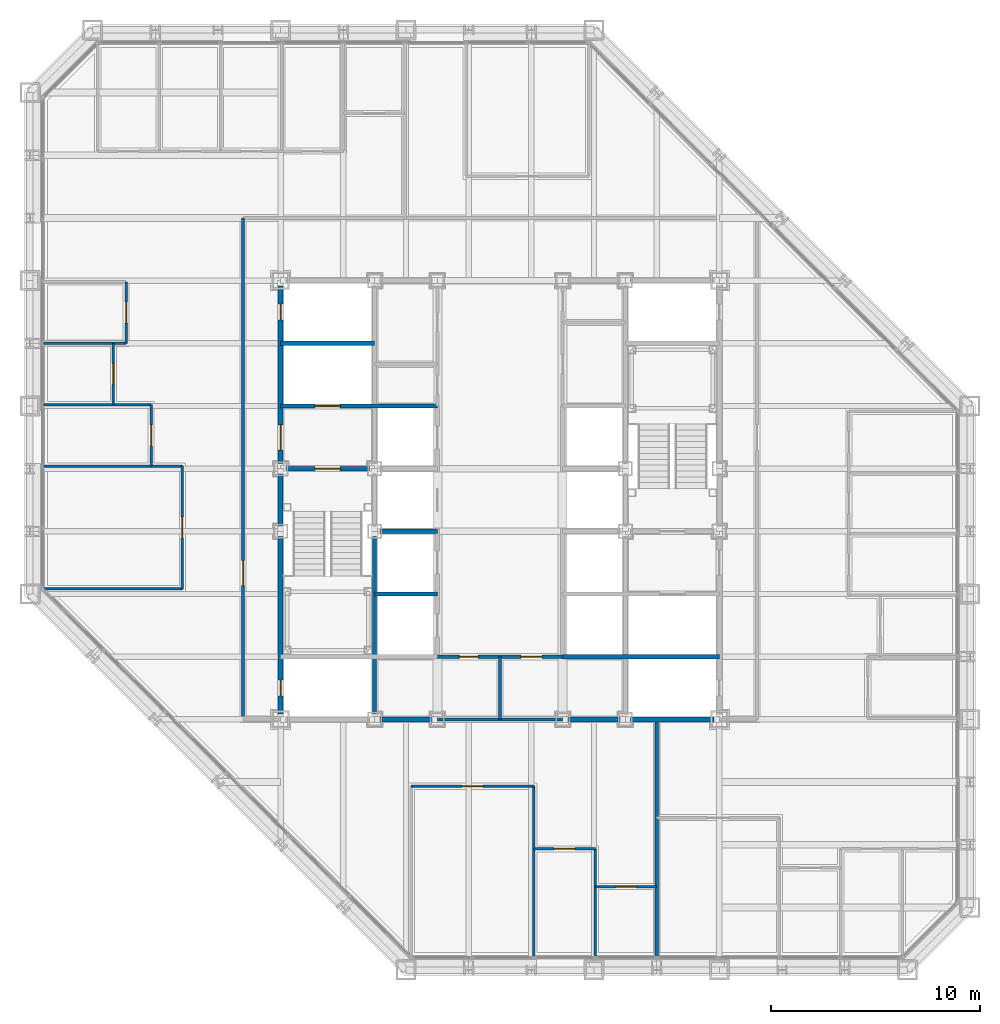
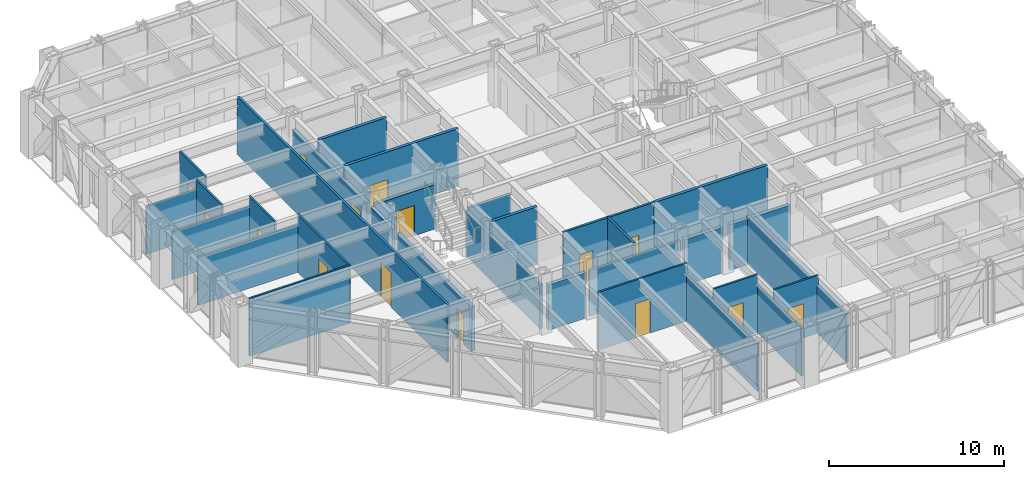
# One storey, part 10 of 16: 31 walls, 15 doors, 15 openings.
"""IFC4 building model written with IfcOpenShell, lengths in metres."""

from ifc_helpers import new_model, si_unit, direction, frame, frame_2d, origin, place, context, subcontext, project, spatial, rectangle, extrude, material, layer, layer_set, type_object, element, fill, save


model = new_model("IFC4")

# Units and contexts
model_context = context("Model", 3, precision=1e-05, world=origin(), true_north=direction((0.0, 1.0)))
body_context = subcontext(model_context, "Body", "Model", "MODEL_VIEW")
ifc_project = project(units=[si_unit("LENGTHUNIT", "METRE"), si_unit("AREAUNIT", "SQUARE_METRE"), si_unit("VOLUMEUNIT", "CUBIC_METRE"), si_unit("PLANEANGLEUNIT", "RADIAN"), si_unit("MASSUNIT", "GRAM", prefix="KILO")], contexts=[model_context])

# Site, building, storey
site_placement = place(None, origin())
site = spatial("IfcSite", under=ifc_project, at=site_placement, CompositionType="ELEMENT")
building_placement = place(site_placement, origin())
building = spatial("IfcBuilding", under=site, at=building_placement, Name="Chuquiago Exchange Tower", CompositionType="ELEMENT")
storey_placement = place(building_placement, frame((0.0, 0.0, 123.60009765625)))
storey = spatial("IfcBuildingStorey", under=building, at=storey_placement, Name="L26", CompositionType="ELEMENT", Elevation=123.60009765625)

# Wall, opening, door
ifc_material_1 = material(Name="Concrete masonry, fully grouted", Category="masonry")
ifc_layer_1 = layer(ifc_material_1, 0.25)
ifc_layer_set_1 = layer_set([ifc_layer_1], Name="W1 core wall 250")
wall_type_1 = type_object("IfcWallType", Name="W1 core wall 250", PredefinedType="SOLIDWALL", material=ifc_layer_set_1)
wall_1_placement = place(storey_placement, frame((12.0, 12.25, 0.0), z_axis=(0.0, 0.0, 1.0), x_axis=(0.0, 1.0, 0.0)))
wall_1 = element("IfcWall", 1, at=wall_1_placement, inside=storey, type_object=wall_type_1, Name="CW-L26-00-0", PredefinedType="SOLIDWALL", context=body_context, shape_type="SweptSolid", body=[
    extrude(rectangle(XDim=8.5, YDim=0.25, at=frame_2d((4.25, 0.0))), origin(), (0.0, 0.0, 1.0), 3.11279296875),
])
opening_1_placement = place(wall_1_placement, frame((0.875, 0.0, 0.0)))
opening_1 = element("IfcOpeningElement", 2, at=opening_1_placement, cuts=wall_1, Name="Opening L26-007", PredefinedType="OPENING", context=body_context, shape_type="SweptSolid", body=[
    extrude(rectangle(XDim=0.75, YDim=2.10009765625, at=frame_2d((0.375, 1.050048828125))), frame((0.0, 0.135009765625, 0.0), z_axis=(0.0, -1.0, 0.0), x_axis=(1.0, 0.0, 0.0)), (0.0, 0.0, 1.0), 0.27001953125),
])
ifc_material_2 = material(Name="Steel door, painted", Category="steel")
door_type_1 = type_object("IfcDoorType", Name="D6 riser access door 750x2100", OperationType="SINGLE_SWING_LEFT", PredefinedType="DOOR", material=ifc_material_2)
door_1_placement = place(opening_1_placement, frame((0.75, 0.0, 0.0), z_axis=(0.0, 0.0, 1.0), x_axis=(-1.0, 0.0, 0.0)))
door_1 = element("IfcDoor", 3, at=door_1_placement, inside=storey, type_object=door_type_1, Name="Riser RW1 door", OperationType="SINGLE_SWING_RIGHT", OverallHeight=2.10009765625, OverallWidth=0.75, PredefinedType="DOOR", context=body_context, shape_type="SweptSolid", body=[
    extrude(rectangle(XDim=0.75, YDim=2.10009765625, at=frame_2d((0.375, 1.050048828125))), frame((0.0, 0.02490234375, 0.0), z_axis=(0.0, -1.0, 0.0), x_axis=(1.0, 0.0, 0.0)), (0.0, 0.0, 1.0), 0.050048828125),
])
fill(opening_1, door_1)

# Wall
wall_2_placement = place(storey_placement, frame((12.0, 21.25, 0.0), z_axis=(0.0, 0.0, 1.0), x_axis=(0.0, 1.0, 0.0)))
element("IfcWall", 4, at=wall_2_placement, inside=storey, type_object=wall_type_1, Name="CW-L26-00-1", PredefinedType="SOLIDWALL", context=body_context, shape_type="SweptSolid", body=[
    extrude(rectangle(XDim=2.5, YDim=0.25, at=frame_2d((1.25, 0.0))), origin(), (0.0, 0.0, 1.0), 3.11279296875),
])

# Wall, openings, doors
wall_3_placement = place(storey_placement, frame((12.0, 24.25, 0.0), z_axis=(0.0, 0.0, 1.0), x_axis=(0.0, 1.0, 0.0)))
wall_3 = element("IfcWall", 5, at=wall_3_placement, inside=storey, type_object=wall_type_1, Name="CW-L26-00-2", PredefinedType="SOLIDWALL", context=body_context, shape_type="SweptSolid", body=[
    extrude(rectangle(XDim=8.5, YDim=0.25, at=frame_2d((4.25, 0.0))), origin(), (0.0, 0.0, 1.0), 3.11279296875),
])
opening_2_placement = place(wall_3_placement, frame((0.64990234375, 0.0, 0.0)))
opening_2 = element("IfcOpeningElement", 6, at=opening_2_placement, cuts=wall_3, Name="Opening L26-002", PredefinedType="OPENING", context=body_context, shape_type="SweptSolid", body=[
    extrude(rectangle(XDim=1.199951171875, YDim=2.10009765625, at=frame_2d((0.60009765625, 1.050048828125))), frame((0.0, 0.135009765625, 0.0), z_axis=(0.0, -1.0, 0.0), x_axis=(1.0, 0.0, 0.0)), (0.0, 0.0, 1.0), 0.27001953125),
])
opening_3_placement = place(wall_3_placement, frame((6.875, 0.0, 0.0)))
opening_3 = element("IfcOpeningElement", 7, at=opening_3_placement, cuts=wall_3, Name="Opening L26-008", PredefinedType="OPENING", context=body_context, shape_type="SweptSolid", body=[
    extrude(rectangle(XDim=0.75, YDim=2.10009765625, at=frame_2d((0.375, 1.050048828125))), frame((0.0, 0.135009765625, 0.0), z_axis=(0.0, -1.0, 0.0), x_axis=(1.0, 0.0, 0.0)), (0.0, 0.0, 1.0), 0.27001953125),
])
ifc_material_3 = material(Name="Steel door, painted", Category="steel")
door_type_2 = type_object("IfcDoorType", Name="D5 firefighting lobby door 1200x2100", OperationType="SINGLE_SWING_LEFT", PredefinedType="DOOR", material=ifc_material_3)
door_2_placement = place(opening_2_placement, frame((1.199951171875, 0.0, 0.0), z_axis=(0.0, 0.0, 1.0), x_axis=(-1.0, 0.0, 0.0)))
door_2 = element("IfcDoor", 8, at=door_2_placement, inside=storey, type_object=door_type_2, Name="Firefighting lobby 1 door", OperationType="SINGLE_SWING_RIGHT", OverallHeight=2.10009765625, OverallWidth=1.199951171875, PredefinedType="DOOR", context=body_context, shape_type="SweptSolid", body=[
    extrude(rectangle(XDim=1.199951171875, YDim=2.10009765625, at=frame_2d((0.60009765625, 1.050048828125))), frame((0.0, 0.02490234375, 0.0), z_axis=(0.0, -1.0, 0.0), x_axis=(1.0, 0.0, 0.0)), (0.0, 0.0, 1.0), 0.050048828125),
])
fill(opening_2, door_2)
door_3_placement = place(opening_3_placement, frame((0.75, 0.0, 0.0), z_axis=(0.0, 0.0, 1.0), x_axis=(-1.0, 0.0, 0.0)))
door_3 = element("IfcDoor", 9, at=door_3_placement, inside=storey, type_object=door_type_1, Name="Riser RW2 door", OperationType="SINGLE_SWING_LEFT", OverallHeight=2.10009765625, OverallWidth=0.75, PredefinedType="DOOR", context=body_context, shape_type="SweptSolid", body=[
    extrude(rectangle(XDim=0.75, YDim=2.10009765625, at=frame_2d((0.375, 1.050048828125))), frame((0.0, 0.02490234375, 0.0), z_axis=(0.0, -1.0, 0.0), x_axis=(1.0, 0.0, 0.0)), (0.0, 0.0, 1.0), 0.050048828125),
])
fill(opening_3, door_3)

# Walls
for number, where, z_axis, x_axis, name in (
    (10, (16.75, 12.0, 0.0), (0.0, 0.0, 1.0), (1.0, 0.0, 0.0), "CW-L26-01-1"),
    (11, (25.75, 12.0, 0.0), (0.0, 0.0, 1.0), (1.0, 0.0, 0.0), "CW-L26-02-0"),
):
    element("IfcWall", number, at=place(storey_placement, frame(where, z_axis=z_axis, x_axis=x_axis)), inside=storey, type_object=wall_type_1, Name=name, PredefinedType="SOLIDWALL", context=body_context, shape_type="SweptSolid", body=[
        extrude(rectangle(XDim=2.5, YDim=0.25, at=frame_2d((1.25, 0.0))), origin(), (0.0, 0.0, 1.0), 3.181396484375),
    ])
wall_4_placement = place(storey_placement, frame((28.75, 12.0, 0.0), z_axis=(0.0, 0.0, 1.0), x_axis=(1.0, 0.0, 0.0)))
element("IfcWall", 12, at=wall_4_placement, inside=storey, type_object=wall_type_1, Name="CW-L26-02-1", PredefinedType="SOLIDWALL", context=body_context, shape_type="SweptSolid", body=[
    extrude(rectangle(XDim=4.0, YDim=0.25, at=frame_2d((2.0, 0.0))), origin(), (0.0, 0.0, 1.0), 3.181396484375),
])

# Wall, opening, door
ifc_material_4 = material(Name="Gypsum board on steel studs, acoustic insulation", Category="steel")
ifc_layer_2 = layer(ifc_material_4, 0.14990234375)
ifc_layer_set_2 = layer_set([ifc_layer_2], Name="W11 corridor wall 150")
wall_type_2 = type_object("IfcWallType", Name="W11 corridor wall 150", PredefinedType="PARTITIONING", material=ifc_layer_set_2)
wall_5_placement = place(storey_placement, frame((10.199951171875, 12.0, 0.0), z_axis=(0.0, 0.0, 1.0), x_axis=(0.0, 1.0, 0.0)))
wall_5 = element("IfcWall", 13, at=wall_5_placement, inside=storey, type_object=wall_type_2, Name="PW-L26-CW", PredefinedType="PARTITIONING", context=body_context, shape_type="SweptSolid", body=[
    extrude(rectangle(XDim=24.0, YDim=0.14990234375, at=frame_2d((12.0, 0.0))), origin(), (0.0, 0.0, 1.0), 4.039794921875),
])
opening_4_placement = place(wall_5_placement, frame((6.39990234375, 0.0, 0.0)))
opening_4 = element("IfcOpeningElement", 14, at=opening_4_placement, cuts=wall_5, Name="Opening L26-043", PredefinedType="OPENING", context=body_context, shape_type="SweptSolid", body=[
    extrude(rectangle(XDim=1.199951171875, YDim=2.39990234375, at=frame_2d((0.60009765625, 1.199951171875))), frame((0.0, 0.0849609375, 0.0), z_axis=(0.0, -1.0, 0.0), x_axis=(1.0, 0.0, 0.0)), (0.0, 0.0, 1.0), 0.169921875),
])
ifc_material_5 = material(Name="Timber door, laminate faced", Category="wood")
door_type_3 = type_object("IfcDoorType", Name="D13 suite entrance door 1200x2400", OperationType="SINGLE_SWING_LEFT", PredefinedType="DOOR", material=ifc_material_5)
door_4_placement = place(opening_4_placement, origin())
door_4 = element("IfcDoor", 15, at=door_4_placement, inside=storey, type_object=door_type_3, Name="West suite entrance door", OperationType="SINGLE_SWING_LEFT", OverallHeight=2.39990234375, OverallWidth=1.199951171875, PredefinedType="DOOR", context=body_context, shape_type="SweptSolid", body=[
    extrude(rectangle(XDim=1.199951171875, YDim=2.39990234375, at=frame_2d((0.60009765625, 1.199951171875))), frame((0.0, 0.02490234375, 0.0), z_axis=(0.0, -1.0, 0.0), x_axis=(1.0, 0.0, 0.0)), (0.0, 0.0, 1.0), 0.050048828125),
])
fill(opening_4, door_4)

# Walls
ifc_material_6 = material(Name="Gypsum board on twin steel studs, acoustic insulation", Category="steel")
ifc_layer_3 = layer(ifc_material_6, 0.175048828125)
ifc_layer_set_3 = layer_set([ifc_layer_3], Name="W12 tenant demising wall 175")
wall_type_3 = type_object("IfcWallType", Name="W12 tenant demising wall 175", PredefinedType="PARTITIONING", material=ifc_layer_set_3)
wall_6_placement = place(storey_placement, frame((30.0, 0.652587890625, 0.0), z_axis=(0.0, 0.0, 1.0), x_axis=(0.0, 1.0, 0.0)))
element("IfcWall", 16, at=wall_6_placement, inside=storey, type_object=wall_type_3, Name="PW-L26-DS03000", PredefinedType="PARTITIONING", context=body_context, shape_type="SweptSolid", body=[
    extrude(rectangle(XDim=11.347412109375, YDim=0.175048828125, at=frame_2d((5.673828125, 0.0))), origin(), (0.0, 0.0, 1.0), 3.356689453125),
])
ifc_material_7 = material(Name="Concrete masonry, fully grouted", Category="masonry")
ifc_layer_4 = layer(ifc_material_7, 0.199951171875)
ifc_layer_set_4 = layer_set([ifc_layer_4], Name="W2 shaft wall 200")
wall_type_4 = type_object("IfcWallType", Name="W2 shaft wall 200", PredefinedType="SOLIDWALL", material=ifc_layer_set_4)
wall_7_placement = place(storey_placement, frame((25.5, 15.0, 0.0), z_axis=(0.0, 0.0, 1.0), x_axis=(1.0, 0.0, 0.0)))
element("IfcWall", 17, at=wall_7_placement, inside=storey, type_object=wall_type_4, Name="CW-L26-04-0", PredefinedType="SOLIDWALL", context=body_context, shape_type="SweptSolid", body=[
    extrude(rectangle(XDim=7.5, YDim=0.199951171875, at=frame_2d((3.75, 0.0))), origin(), (0.0, 0.0, 1.0), 4.039794921875),
])

# Wall, opening, door
wall_8_placement = place(storey_placement, frame((12.25, 24.0, 0.0), z_axis=(0.0, 0.0, 1.0), x_axis=(1.0, 0.0, 0.0)))
wall_8 = element("IfcWall", 18, at=wall_8_placement, inside=storey, type_object=wall_type_4, Name="CW-L26-05-0", PredefinedType="SOLIDWALL", context=body_context, shape_type="SweptSolid", body=[
    extrude(rectangle(XDim=4.0, YDim=0.199951171875, at=frame_2d((2.0, 0.0))), origin(), (0.0, 0.0, 1.0), 3.08984375),
])
opening_5_placement = place(wall_8_placement, frame((1.39990234375, 0.0, 0.0)))
opening_5 = element("IfcOpeningElement", 19, at=opening_5_placement, cuts=wall_8, Name="Opening L26-001", PredefinedType="OPENING", context=body_context, shape_type="SweptSolid", body=[
    extrude(rectangle(XDim=1.199951171875, YDim=2.10009765625, at=frame_2d((0.60009765625, 1.050048828125))), frame((0.0, 0.10986328125, 0.0), z_axis=(0.0, -1.0, 0.0), x_axis=(1.0, 0.0, 0.0)), (0.0, 0.0, 1.0), 0.219970703125),
])
ifc_material_8 = material(Name="Steel door, painted", Category="steel")
door_type_4 = type_object("IfcDoorType", Name="D4 stair door 1200x2100", OperationType="SINGLE_SWING_LEFT", PredefinedType="DOOR", material=ifc_material_8)
door_5_placement = place(opening_5_placement, frame((1.199951171875, 0.0, 0.0), z_axis=(0.0, 0.0, 1.0), x_axis=(-1.0, 0.0, 0.0)))
door_5 = element("IfcDoor", 20, at=door_5_placement, inside=storey, type_object=door_type_4, Name="Stair ST1 door", OperationType="SINGLE_SWING_RIGHT", OverallHeight=2.10009765625, OverallWidth=1.199951171875, PredefinedType="DOOR", context=body_context, shape_type="SweptSolid", body=[
    extrude(rectangle(XDim=1.199951171875, YDim=2.10009765625, at=frame_2d((0.60009765625, 1.050048828125))), frame((0.0, 0.02490234375, 0.0), z_axis=(0.0, -1.0, 0.0), x_axis=(1.0, 0.0, 0.0)), (0.0, 0.0, 1.0), 0.050048828125),
])
fill(opening_5, door_5)

wall_9_placement = place(storey_placement, frame((12.0, 27.0, 0.0), z_axis=(0.0, 0.0, 1.0), x_axis=(1.0, 0.0, 0.0)))
wall_9 = element("IfcWall", 21, at=wall_9_placement, inside=storey, type_object=wall_type_4, Name="CW-L26-07-0", PredefinedType="SOLIDWALL", context=body_context, shape_type="SweptSolid", body=[
    extrude(rectangle(XDim=7.5, YDim=0.199951171875, at=frame_2d((3.75, 0.0))), origin(), (0.0, 0.0, 1.0), 4.039794921875),
])
opening_6_placement = place(wall_9_placement, frame((1.64990234375, 0.0, 0.0)))
opening_6 = element("IfcOpeningElement", 22, at=opening_6_placement, cuts=wall_9, Name="Opening L26-005", PredefinedType="OPENING", context=body_context, shape_type="SweptSolid", body=[
    extrude(rectangle(XDim=1.199951171875, YDim=2.10009765625, at=frame_2d((0.60009765625, 1.050048828125))), frame((0.0, 0.10986328125, 0.0), z_axis=(0.0, -1.0, 0.0), x_axis=(1.0, 0.0, 0.0)), (0.0, 0.0, 1.0), 0.219970703125),
])
ifc_material_9 = material(Name="Stainless steel lift landing door", Category="steel")
door_type_5 = type_object("IfcDoorType", Name="LD2 firefighting lift landing door 1200x2100", OperationType="DOUBLE_DOOR_SLIDING", PredefinedType="DOOR", material=ifc_material_9)
door_6_placement = place(opening_6_placement, origin())
door_6 = element("IfcDoor", 23, at=door_6_placement, inside=storey, type_object=door_type_5, Name="Firefighting lift FL1 landing door", OperationType="DOUBLE_DOOR_SLIDING", OverallHeight=2.10009765625, OverallWidth=1.199951171875, PredefinedType="DOOR", context=body_context, shape_type="SweptSolid", body=[
    extrude(rectangle(XDim=1.199951171875, YDim=2.10009765625, at=frame_2d((0.60009765625, 1.050048828125))), frame((0.0, 0.02490234375, 0.0), z_axis=(0.0, -1.0, 0.0), x_axis=(1.0, 0.0, 0.0)), (0.0, 0.0, 1.0), 0.050048828125),
])
fill(opening_6, door_6)

# Walls
wall_10_placement = place(storey_placement, frame((12.0, 30.0, 0.0), z_axis=(0.0, 0.0, 1.0), x_axis=(1.0, 0.0, 0.0)))
element("IfcWall", 24, at=wall_10_placement, inside=storey, type_object=wall_type_4, Name="CW-L26-09-0", PredefinedType="SOLIDWALL", context=body_context, shape_type="SweptSolid", body=[
    extrude(rectangle(XDim=4.5, YDim=0.199951171875, at=frame_2d((2.25, 0.0))), origin(), (0.0, 0.0, 1.0), 4.039794921875),
])
wall_11_placement = place(storey_placement, frame((16.5, 12.25, 0.0), z_axis=(0.0, 0.0, 1.0), x_axis=(0.0, 1.0, 0.0)))
element("IfcWall", 25, at=wall_11_placement, inside=storey, type_object=wall_type_4, Name="CW-L26-13-0", PredefinedType="SOLIDWALL", context=body_context, shape_type="SweptSolid", body=[
    extrude(rectangle(XDim=8.5, YDim=0.199951171875, at=frame_2d((4.25, 0.0))), origin(), (0.0, 0.0, 1.0), 3.11279296875),
])
wall_12_placement = place(storey_placement, frame((16.5, 18.0, 0.0), z_axis=(0.0, 0.0, 1.0), x_axis=(1.0, 0.0, 0.0)))
element("IfcWall", 26, at=wall_12_placement, inside=storey, type_object=wall_type_4, Name="CW-L26-14-0", PredefinedType="SOLIDWALL", context=body_context, shape_type="SweptSolid", body=[
    extrude(rectangle(XDim=3.0, YDim=0.199951171875, at=frame_2d((1.5, 0.0))), origin(), (0.0, 0.0, 1.0), 4.039794921875),
])
wall_13_placement = place(storey_placement, frame((16.75, 21.0, 0.0), z_axis=(0.0, 0.0, 1.0), x_axis=(1.0, 0.0, 0.0)))
element("IfcWall", 27, at=wall_13_placement, inside=storey, type_object=wall_type_4, Name="CW-L26-16-0", PredefinedType="SOLIDWALL", context=body_context, shape_type="SweptSolid", body=[
    extrude(rectangle(XDim=2.75, YDim=0.199951171875, at=frame_2d((1.375, 0.0))), origin(), (0.0, 0.0, 1.0), 3.08984375),
])

# Wall, openings, doors
ifc_material_10 = material(Name="Gypsum board on steel studs", Category="steel")
ifc_layer_5 = layer(ifc_material_10, 0.14990234375)
ifc_layer_set_5 = layer_set([ifc_layer_5], Name="W3 core partition 150")
wall_type_5 = type_object("IfcWallType", Name="W3 core partition 150", PredefinedType="PARTITIONING", material=ifc_layer_set_5)
wall_14_placement = place(storey_placement, frame((19.5, 15.0, 0.0), z_axis=(0.0, 0.0, 1.0), x_axis=(1.0, 0.0, 0.0)))
wall_14 = element("IfcWall", 28, at=wall_14_placement, inside=storey, type_object=wall_type_5, Name="CW-L26-TF", PredefinedType="PARTITIONING", context=body_context, shape_type="SweptSolid", body=[
    extrude(rectangle(XDim=6.0, YDim=0.14990234375, at=frame_2d((3.0, 0.0))), origin(), (0.0, 0.0, 1.0), 4.039794921875),
])
opening_7_placement = place(wall_14_placement, frame((4.0, 0.0, 0.0)))
opening_7 = element("IfcOpeningElement", 29, at=opening_7_placement, cuts=wall_14, Name="Opening L26-015", PredefinedType="OPENING", context=body_context, shape_type="SweptSolid", body=[
    extrude(rectangle(XDim=1.0, YDim=2.10009765625, at=frame_2d((0.5, 1.050048828125))), frame((0.0, 0.0849609375, 0.0), z_axis=(0.0, -1.0, 0.0), x_axis=(1.0, 0.0, 0.0)), (0.0, 0.0, 1.0), 0.169921875),
])
opening_8_placement = place(wall_14_placement, frame((1.050048828125, 0.0, 0.0)))
opening_8 = element("IfcOpeningElement", 30, at=opening_8_placement, cuts=wall_14, Name="Opening L26-016", PredefinedType="OPENING", context=body_context, shape_type="SweptSolid", body=[
    extrude(rectangle(XDim=0.89990234375, YDim=2.10009765625, at=frame_2d((0.449951171875, 1.050048828125))), frame((0.0, 0.0849609375, 0.0), z_axis=(0.0, -1.0, 0.0), x_axis=(1.0, 0.0, 0.0)), (0.0, 0.0, 1.0), 0.169921875),
])
ifc_material_11 = material(Name="Timber door, laminate faced", Category="wood")
door_type_6 = type_object("IfcDoorType", Name="D7 toilet door 900x2100", OperationType="SINGLE_SWING_LEFT", PredefinedType="DOOR", material=ifc_material_11)
door_7_placement = place(opening_8_placement, origin())
door_7 = element("IfcDoor", 31, at=door_7_placement, inside=storey, type_object=door_type_6, Name="Cleaner door", OperationType="SINGLE_SWING_LEFT", OverallHeight=2.10009765625, OverallWidth=0.89990234375, PredefinedType="DOOR", context=body_context, shape_type="SweptSolid", body=[
    extrude(rectangle(XDim=0.89990234375, YDim=2.10009765625, at=frame_2d((0.449951171875, 1.050048828125))), frame((0.0, 0.02490234375, 0.0), z_axis=(0.0, -1.0, 0.0), x_axis=(1.0, 0.0, 0.0)), (0.0, 0.0, 1.0), 0.050048828125),
])
fill(opening_8, door_7)
ifc_material_12 = material(Name="Timber door, laminate faced", Category="wood")
door_type_7 = type_object("IfcDoorType", Name="D8 accessible toilet door 1000x2100", OperationType="SLIDING_TO_LEFT", PredefinedType="DOOR", material=ifc_material_12)
door_8_placement = place(opening_7_placement, origin())
door_8 = element("IfcDoor", 32, at=door_8_placement, inside=storey, type_object=door_type_7, Name="Accessible WC door", OperationType="SLIDING_TO_LEFT", OverallHeight=2.10009765625, OverallWidth=1.0, PredefinedType="DOOR", context=body_context, shape_type="SweptSolid", body=[
    extrude(rectangle(XDim=1.0, YDim=2.10009765625, at=frame_2d((0.5, 1.050048828125))), frame((0.0, 0.02490234375, 0.0), z_axis=(0.0, -1.0, 0.0), x_axis=(1.0, 0.0, 0.0)), (0.0, 0.0, 1.0), 0.050048828125),
])
fill(opening_7, door_8)

# Walls
wall_15_placement = place(storey_placement, frame((22.5, 15.0, 0.0), z_axis=(0.0, 0.0, 1.0), x_axis=(0.0, -1.0, 0.0)))
element("IfcWall", 33, at=wall_15_placement, inside=storey, type_object=wall_type_5, Name="CW-L26-TM", PredefinedType="PARTITIONING", context=body_context, shape_type="SweptSolid", body=[
    extrude(rectangle(XDim=3.0, YDim=0.14990234375, at=frame_2d((1.5, 0.0))), origin(), (0.0, 0.0, 1.0), 4.039794921875),
])
wall_16_placement = place(storey_placement, frame((19.5, 12.0, 0.0), z_axis=(0.0, 0.0, 1.0), x_axis=(1.0, 0.0, 0.0)))
element("IfcWall", 34, at=wall_16_placement, inside=storey, type_object=wall_type_5, Name="CW-L26-TB", PredefinedType="PARTITIONING", context=body_context, shape_type="SweptSolid", body=[
    extrude(rectangle(XDim=6.0, YDim=0.14990234375, at=frame_2d((3.0, 0.0))), origin(), (0.0, 0.0, 1.0), 3.181396484375),
])
ifc_material_13 = material(Name="Gypsum board on steel studs", Category="steel")
ifc_layer_6 = layer(ifc_material_13, 0.1201171875)
ifc_layer_set_6 = layer_set([ifc_layer_6], Name="W4 partition 120")
wall_type_6 = type_object("IfcWallType", Name="W4 partition 120", PredefinedType="PARTITIONING", material=ifc_layer_set_6)
wall_17_placement = place(storey_placement, frame((24.124267578125, 0.652587890625, 0.0), z_axis=(0.0, 0.0, 1.0), x_axis=(0.0, 1.0, 0.0)))
element("IfcWall", 35, at=wall_17_placement, inside=storey, type_object=wall_type_6, Name="PW-L26-S02412", PredefinedType="PARTITIONING", context=body_context, shape_type="SweptSolid", body=[
    extrude(rectangle(XDim=8.1474609375, YDim=0.1201171875, at=frame_2d((4.07373046875, 0.0))), origin(), (0.0, 0.0, 1.0), 3.356689453125),
])
wall_18_placement = place(storey_placement, frame((27.06201171875, 0.652587890625, 0.0), z_axis=(0.0, 0.0, 1.0), x_axis=(0.0, 1.0, 0.0)))
element("IfcWall", 36, at=wall_18_placement, inside=storey, type_object=wall_type_6, Name="PW-L26-S02706", PredefinedType="PARTITIONING", context=body_context, shape_type="SweptSolid", body=[
    extrude(rectangle(XDim=5.1474609375, YDim=0.1201171875, at=frame_2d((2.57373046875, 0.0))), origin(), (0.0, 0.0, 1.0), 3.356689453125),
])

# Wall, opening, door
wall_19_placement = place(storey_placement, frame((18.24853515625, 8.800048828125, 0.0), z_axis=(0.0, 0.0, 1.0), x_axis=(1.0, 0.0, 0.0)))
wall_19 = element("IfcWall", 37, at=wall_19_placement, inside=storey, type_object=wall_type_6, Name="PW-L26-SF01825", PredefinedType="PARTITIONING", context=body_context, shape_type="SweptSolid", body=[
    extrude(rectangle(XDim=5.875732421875, YDim=0.1201171875, at=frame_2d((2.93798828125, 0.0))), origin(), (0.0, 0.0, 1.0), 4.039794921875),
])
opening_9_placement = place(wall_19_placement, frame((2.43798828125, 0.0, 0.0)))
opening_9 = element("IfcOpeningElement", 38, at=opening_9_placement, cuts=wall_19, Name="Opening L26-021", PredefinedType="OPENING", context=body_context, shape_type="SweptSolid", body=[
    extrude(rectangle(XDim=1.0, YDim=2.39990234375, at=frame_2d((0.5, 1.199951171875))), frame((0.0, 0.070068359375, 0.0), z_axis=(0.0, -1.0, 0.0), x_axis=(1.0, 0.0, 0.0)), (0.0, 0.0, 1.0), 0.14013671875),
])
ifc_material_14 = material(Name="Timber door, laminate faced", Category="wood")
door_type_8 = type_object("IfcDoorType", Name="D9 room door 1000x2400", OperationType="SINGLE_SWING_LEFT", PredefinedType="DOOR", material=ifc_material_14)
door_9_placement = place(opening_9_placement, frame((1.0, 0.0, 0.0), z_axis=(0.0, 0.0, 1.0), x_axis=(-1.0, 0.0, 0.0)))
door_9 = element("IfcDoor", 39, at=door_9_placement, inside=storey, type_object=door_type_8, Name="Settlement office door", OperationType="SINGLE_SWING_RIGHT", OverallHeight=2.39990234375, OverallWidth=1.0, PredefinedType="DOOR", context=body_context, shape_type="SweptSolid", body=[
    extrude(rectangle(XDim=1.0, YDim=2.39990234375, at=frame_2d((0.5, 1.199951171875))), frame((0.0, 0.02490234375, 0.0), z_axis=(0.0, -1.0, 0.0), x_axis=(1.0, 0.0, 0.0)), (0.0, 0.0, 1.0), 0.050048828125),
])
fill(opening_9, door_9)

wall_20_placement = place(storey_placement, frame((24.124267578125, 5.800048828125, 0.0), z_axis=(0.0, 0.0, 1.0), x_axis=(1.0, 0.0, 0.0)))
wall_20 = element("IfcWall", 40, at=wall_20_placement, inside=storey, type_object=wall_type_6, Name="PW-L26-SF02412", PredefinedType="PARTITIONING", context=body_context, shape_type="SweptSolid", body=[
    extrude(rectangle(XDim=2.937744140625, YDim=0.1201171875, at=frame_2d((1.46875, 0.0))), origin(), (0.0, 0.0, 1.0), 4.039794921875),
])
opening_10_placement = place(wall_20_placement, frame((0.968994140625, 0.0, 0.0)))
opening_10 = element("IfcOpeningElement", 41, at=opening_10_placement, cuts=wall_20, Name="Opening L26-022", PredefinedType="OPENING", context=body_context, shape_type="SweptSolid", body=[
    extrude(rectangle(XDim=1.0, YDim=2.39990234375, at=frame_2d((0.5, 1.199951171875))), frame((0.0, 0.070068359375, 0.0), z_axis=(0.0, -1.0, 0.0), x_axis=(1.0, 0.0, 0.0)), (0.0, 0.0, 1.0), 0.14013671875),
])
door_10_placement = place(opening_10_placement, frame((1.0, 0.0, 0.0), z_axis=(0.0, 0.0, 1.0), x_axis=(-1.0, 0.0, 0.0)))
door_10 = element("IfcDoor", 42, at=door_10_placement, inside=storey, type_object=door_type_8, Name="Office door", OperationType="SINGLE_SWING_LEFT", OverallHeight=2.39990234375, OverallWidth=1.0, PredefinedType="DOOR", context=body_context, shape_type="SweptSolid", body=[
    extrude(rectangle(XDim=1.0, YDim=2.39990234375, at=frame_2d((0.5, 1.199951171875))), frame((0.0, 0.02490234375, 0.0), z_axis=(0.0, -1.0, 0.0), x_axis=(1.0, 0.0, 0.0)), (0.0, 0.0, 1.0), 0.050048828125),
])
fill(opening_10, door_10)

wall_21_placement = place(storey_placement, frame((27.06201171875, 4.0, 0.0), z_axis=(0.0, 0.0, 1.0), x_axis=(1.0, 0.0, 0.0)))
wall_21 = element("IfcWall", 43, at=wall_21_placement, inside=storey, type_object=wall_type_6, Name="PW-L26-SF02706", PredefinedType="PARTITIONING", context=body_context, shape_type="SweptSolid", body=[
    extrude(rectangle(XDim=2.93798828125, YDim=0.1201171875, at=frame_2d((1.468994140625, 0.0))), origin(), (0.0, 0.0, 1.0), 4.039794921875),
])
opening_11_placement = place(wall_21_placement, frame((0.968994140625, 0.0, 0.0)))
opening_11 = element("IfcOpeningElement", 44, at=opening_11_placement, cuts=wall_21, Name="Opening L26-023", PredefinedType="OPENING", context=body_context, shape_type="SweptSolid", body=[
    extrude(rectangle(XDim=1.0, YDim=2.39990234375, at=frame_2d((0.5, 1.199951171875))), frame((0.0, 0.070068359375, 0.0), z_axis=(0.0, -1.0, 0.0), x_axis=(1.0, 0.0, 0.0)), (0.0, 0.0, 1.0), 0.14013671875),
])
ifc_material_15 = material(Name="Timber frame door, full height glazed panel", Category="wood")
door_type_9 = type_object("IfcDoorType", Name="D14 glazed meeting room door 1000x2400", OperationType="SINGLE_SWING_LEFT", PredefinedType="DOOR", material=ifc_material_15)
door_11_placement = place(opening_11_placement, frame((1.0, 0.0, 0.0), z_axis=(0.0, 0.0, 1.0), x_axis=(-1.0, 0.0, 0.0)))
door_11 = element("IfcDoor", 45, at=door_11_placement, inside=storey, type_object=door_type_9, Name="Focus room door", OperationType="SINGLE_SWING_LEFT", OverallHeight=2.39990234375, OverallWidth=1.0, PredefinedType="DOOR", context=body_context, shape_type="SweptSolid", body=[
    extrude(rectangle(XDim=1.0, YDim=2.39990234375, at=frame_2d((0.5, 1.199951171875))), frame((0.0, 0.02490234375, 0.0), z_axis=(0.0, -1.0, 0.0), x_axis=(1.0, 0.0, 0.0)), (0.0, 0.0, 1.0), 0.050048828125),
])
fill(opening_11, door_11)

# Walls
wall_22_placement = place(storey_placement, frame((0.666015625, 18.24853515625, 0.0), z_axis=(0.0, 0.0, 1.0), x_axis=(1.0, 0.0, 0.0)))
element("IfcWall", 46, at=wall_22_placement, inside=storey, type_object=wall_type_6, Name="PW-L26-W01825", PredefinedType="PARTITIONING", context=body_context, shape_type="SweptSolid", body=[
    extrude(rectangle(XDim=6.634033203125, YDim=0.1201171875, at=frame_2d((3.31689453125, 0.0))), origin(), (0.0, 0.0, 1.0), 4.039794921875),
])
wall_23_placement = place(storey_placement, frame((0.652587890625, 24.124267578125, 0.0), z_axis=(0.0, 0.0, 1.0), x_axis=(1.0, 0.0, 0.0)))
element("IfcWall", 47, at=wall_23_placement, inside=storey, type_object=wall_type_6, Name="PW-L26-W02412", PredefinedType="PARTITIONING", context=body_context, shape_type="SweptSolid", body=[
    extrude(rectangle(XDim=6.6474609375, YDim=0.1201171875, at=frame_2d((3.32373046875, 0.0))), origin(), (0.0, 0.0, 1.0), 3.356689453125),
])
wall_24_placement = place(storey_placement, frame((0.652587890625, 27.06201171875, 0.0), z_axis=(0.0, 0.0, 1.0), x_axis=(1.0, 0.0, 0.0)))
element("IfcWall", 48, at=wall_24_placement, inside=storey, type_object=wall_type_6, Name="PW-L26-W02706", PredefinedType="PARTITIONING", context=body_context, shape_type="SweptSolid", body=[
    extrude(rectangle(XDim=5.1474609375, YDim=0.1201171875, at=frame_2d((2.57373046875, 0.0))), origin(), (0.0, 0.0, 1.0), 3.356689453125),
])
wall_25_placement = place(storey_placement, frame((0.652587890625, 30.0, 0.0), z_axis=(0.0, 0.0, 1.0), x_axis=(1.0, 0.0, 0.0)))
element("IfcWall", 49, at=wall_25_placement, inside=storey, type_object=wall_type_6, Name="PW-L26-W03000", PredefinedType="PARTITIONING", context=body_context, shape_type="SweptSolid", body=[
    extrude(rectangle(XDim=3.947509765625, YDim=0.1201171875, at=frame_2d((1.9736328125, 0.0))), origin(), (0.0, 0.0, 1.0), 3.356689453125),
])

# Wall, opening, door
wall_26_placement = place(storey_placement, frame((7.300048828125, 18.24853515625, 0.0), z_axis=(0.0, 0.0, 1.0), x_axis=(0.0, 1.0, 0.0)))
wall_26 = element("IfcWall", 50, at=wall_26_placement, inside=storey, type_object=wall_type_6, Name="PW-L26-WF01825", PredefinedType="PARTITIONING", context=body_context, shape_type="SweptSolid", body=[
    extrude(rectangle(XDim=5.875732421875, YDim=0.1201171875, at=frame_2d((2.93798828125, 0.0))), origin(), (0.0, 0.0, 1.0), 4.039794921875),
])
opening_12_placement = place(wall_26_placement, frame((2.43798828125, 0.0, 0.0)))
opening_12 = element("IfcOpeningElement", 51, at=opening_12_placement, cuts=wall_26, Name="Opening L26-039", PredefinedType="OPENING", context=body_context, shape_type="SweptSolid", body=[
    extrude(rectangle(XDim=1.0, YDim=2.39990234375, at=frame_2d((0.5, 1.199951171875))), frame((0.0, 0.070068359375, 0.0), z_axis=(0.0, -1.0, 0.0), x_axis=(1.0, 0.0, 0.0)), (0.0, 0.0, 1.0), 0.14013671875),
])
door_12_placement = place(opening_12_placement, origin())
door_12 = element("IfcDoor", 52, at=door_12_placement, inside=storey, type_object=door_type_9, Name="Conference room door", OperationType="SINGLE_SWING_LEFT", OverallHeight=2.39990234375, OverallWidth=1.0, PredefinedType="DOOR", context=body_context, shape_type="SweptSolid", body=[
    extrude(rectangle(XDim=1.0, YDim=2.39990234375, at=frame_2d((0.5, 1.199951171875))), frame((0.0, 0.02490234375, 0.0), z_axis=(0.0, -1.0, 0.0), x_axis=(1.0, 0.0, 0.0)), (0.0, 0.0, 1.0), 0.050048828125),
])
fill(opening_12, door_12)

wall_27_placement = place(storey_placement, frame((5.800048828125, 24.124267578125, 0.0), z_axis=(0.0, 0.0, 1.0), x_axis=(0.0, 1.0, 0.0)))
wall_27 = element("IfcWall", 53, at=wall_27_placement, inside=storey, type_object=wall_type_6, Name="PW-L26-WF02412", PredefinedType="PARTITIONING", context=body_context, shape_type="SweptSolid", body=[
    extrude(rectangle(XDim=2.937744140625, YDim=0.1201171875, at=frame_2d((1.46875, 0.0))), origin(), (0.0, 0.0, 1.0), 4.039794921875),
])
opening_13_placement = place(wall_27_placement, frame((0.968994140625, 0.0, 0.0)))
opening_13 = element("IfcOpeningElement", 54, at=opening_13_placement, cuts=wall_27, Name="Opening L26-040", PredefinedType="OPENING", context=body_context, shape_type="SweptSolid", body=[
    extrude(rectangle(XDim=1.0, YDim=2.39990234375, at=frame_2d((0.5, 1.199951171875))), frame((0.0, 0.070068359375, 0.0), z_axis=(0.0, -1.0, 0.0), x_axis=(1.0, 0.0, 0.0)), (0.0, 0.0, 1.0), 0.14013671875),
])
door_13_placement = place(opening_13_placement, origin())
door_13 = element("IfcDoor", 55, at=door_13_placement, inside=storey, type_object=door_type_8, Name="Office door", OperationType="SINGLE_SWING_RIGHT", OverallHeight=2.39990234375, OverallWidth=1.0, PredefinedType="DOOR", context=body_context, shape_type="SweptSolid", body=[
    extrude(rectangle(XDim=1.0, YDim=2.39990234375, at=frame_2d((0.5, 1.199951171875))), frame((0.0, 0.02490234375, 0.0), z_axis=(0.0, -1.0, 0.0), x_axis=(1.0, 0.0, 0.0)), (0.0, 0.0, 1.0), 0.050048828125),
])
fill(opening_13, door_13)

wall_28_placement = place(storey_placement, frame((4.0, 27.06201171875, 0.0), z_axis=(0.0, 0.0, 1.0), x_axis=(0.0, 1.0, 0.0)))
wall_28 = element("IfcWall", 56, at=wall_28_placement, inside=storey, type_object=wall_type_6, Name="PW-L26-WF02706", PredefinedType="PARTITIONING", context=body_context, shape_type="SweptSolid", body=[
    extrude(rectangle(XDim=2.93798828125, YDim=0.1201171875, at=frame_2d((1.468994140625, 0.0))), origin(), (0.0, 0.0, 1.0), 4.039794921875),
])
opening_14_placement = place(wall_28_placement, frame((0.968994140625, 0.0, 0.0)))
opening_14 = element("IfcOpeningElement", 57, at=opening_14_placement, cuts=wall_28, Name="Opening L26-041", PredefinedType="OPENING", context=body_context, shape_type="SweptSolid", body=[
    extrude(rectangle(XDim=1.0, YDim=2.39990234375, at=frame_2d((0.5, 1.199951171875))), frame((0.0, 0.070068359375, 0.0), z_axis=(0.0, -1.0, 0.0), x_axis=(1.0, 0.0, 0.0)), (0.0, 0.0, 1.0), 0.14013671875),
])
door_14_placement = place(opening_14_placement, origin())
door_14 = element("IfcDoor", 58, at=door_14_placement, inside=storey, type_object=door_type_9, Name="Focus room door", OperationType="SINGLE_SWING_LEFT", OverallHeight=2.39990234375, OverallWidth=1.0, PredefinedType="DOOR", context=body_context, shape_type="SweptSolid", body=[
    extrude(rectangle(XDim=1.0, YDim=2.39990234375, at=frame_2d((0.5, 1.199951171875))), frame((0.0, 0.02490234375, 0.0), z_axis=(0.0, -1.0, 0.0), x_axis=(1.0, 0.0, 0.0)), (0.0, 0.0, 1.0), 0.050048828125),
])
fill(opening_14, door_14)

wall_29_placement = place(storey_placement, frame((4.60009765625, 30.0, 0.0), z_axis=(0.0, 0.0, 1.0), x_axis=(0.0, 1.0, 0.0)))
wall_29 = element("IfcWall", 59, at=wall_29_placement, inside=storey, type_object=wall_type_6, Name="PW-L26-WF03000", PredefinedType="PARTITIONING", context=body_context, shape_type="SweptSolid", body=[
    extrude(rectangle(XDim=2.93798828125, YDim=0.1201171875, at=frame_2d((1.468994140625, 0.0))), origin(), (0.0, 0.0, 1.0), 4.039794921875),
])
opening_15_placement = place(wall_29_placement, frame((0.968994140625, 0.0, 0.0)))
opening_15 = element("IfcOpeningElement", 60, at=opening_15_placement, cuts=wall_29, Name="Opening L26-042", PredefinedType="OPENING", context=body_context, shape_type="SweptSolid", body=[
    extrude(rectangle(XDim=1.0, YDim=2.39990234375, at=frame_2d((0.5, 1.199951171875))), frame((0.0, 0.070068359375, 0.0), z_axis=(0.0, -1.0, 0.0), x_axis=(1.0, 0.0, 0.0)), (0.0, 0.0, 1.0), 0.14013671875),
])
door_15_placement = place(opening_15_placement, origin())
door_15 = element("IfcDoor", 61, at=door_15_placement, inside=storey, type_object=door_type_8, Name="Pantry door", OperationType="SINGLE_SWING_LEFT", OverallHeight=2.39990234375, OverallWidth=1.0, PredefinedType="DOOR", context=body_context, shape_type="SweptSolid", body=[
    extrude(rectangle(XDim=1.0, YDim=2.39990234375, at=frame_2d((0.5, 1.199951171875))), frame((0.0, 0.02490234375, 0.0), z_axis=(0.0, -1.0, 0.0), x_axis=(1.0, 0.0, 0.0)), (0.0, 0.0, 1.0), 0.050048828125),
])
fill(opening_15, door_15)

save(model, "model.ifc")
